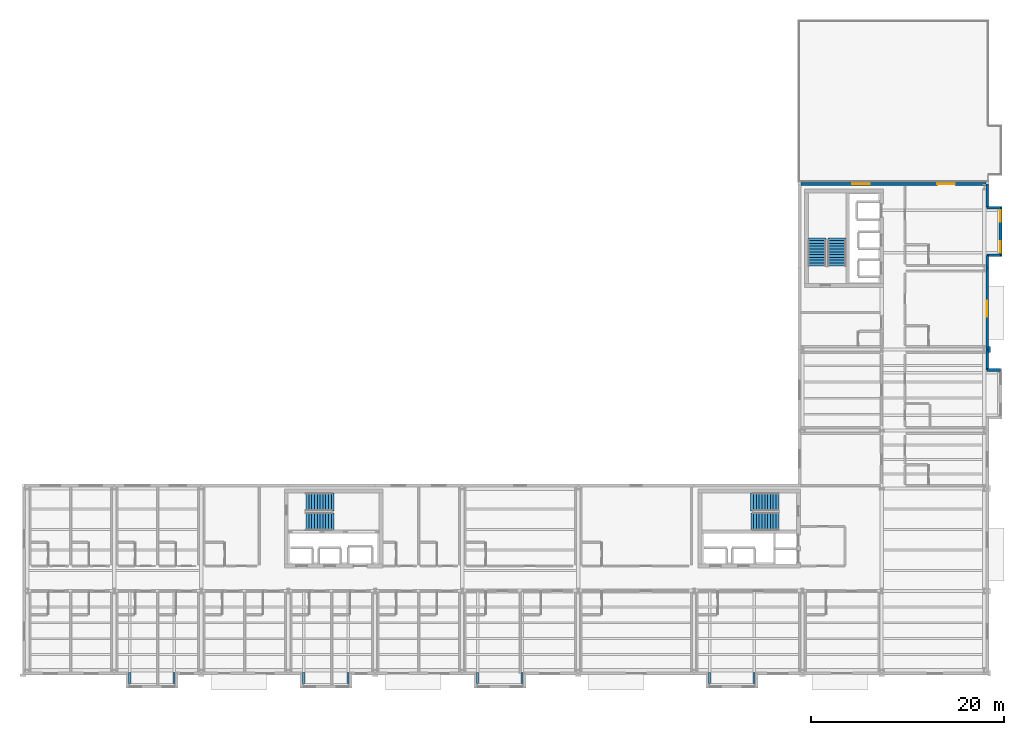
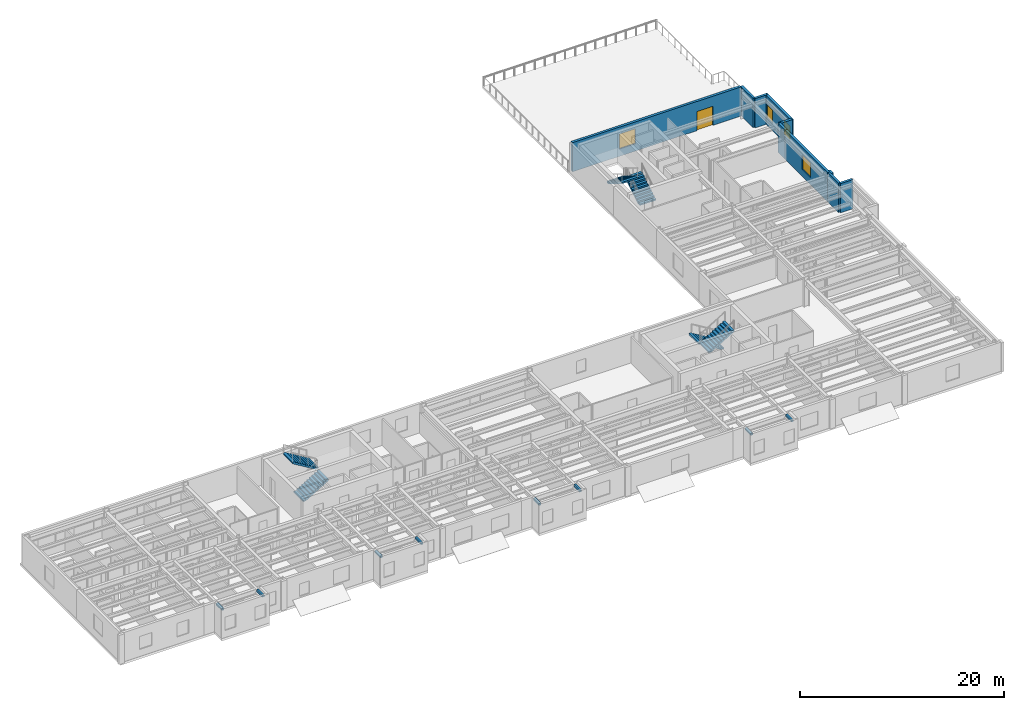
# One storey, part 15 of 19: 10 walls, 8 discrete accessories, 6 stair flights, 4 windows, 1 door, 5 openings, 3 elements without a shape of their own.
"""IFC4 building model written with IfcOpenShell, lengths in metres."""

from ifc_helpers import new_model, si_unit, direction, frame, frame_2d, origin, origin_2d, place, context, subcontext, project, spatial, polyline, rectangle, outline, extrude, material, layer, layer_set, type_object, element, fill, aggregate, save


model = new_model("IFC4")

# Units and contexts
model_context = context("Model", 3, precision=1e-05, world=origin(), true_north=direction((0.0, 1.0)))
body_context = subcontext(model_context, "Body", "Model", "MODEL_VIEW")
ifc_project = project(units=[si_unit("LENGTHUNIT", "METRE"), si_unit("AREAUNIT", "SQUARE_METRE"), si_unit("VOLUMEUNIT", "CUBIC_METRE"), si_unit("PLANEANGLEUNIT", "RADIAN"), si_unit("MASSUNIT", "GRAM", prefix="KILO")], contexts=[model_context])

# Site, building, storey
site_placement = place(None, origin())
site = spatial("IfcSite", under=ifc_project, at=site_placement, CompositionType="ELEMENT")
building_placement = place(site_placement, origin())
building = spatial("IfcBuilding", under=site, at=building_placement, Name="Sollismere Congress Hotel", CompositionType="ELEMENT")
storey_placement = place(building_placement, frame((0.0, 0.0, 34.10009765625)))
storey = spatial("IfcBuildingStorey", under=building, at=storey_placement, Name="L08", CompositionType="ELEMENT", Elevation=34.10009765625)

# Walls
ifc_material_1 = material(Name="Colorado Buff Sandstone Rainscreen on Insulated Backup", Category="masonry")
ifc_layer_1 = layer(ifc_material_1, 0.284912109375, Name="Colorado Buff Sandstone Rainscreen on Insulated Backup")
ifc_layer_set_1 = layer_set([ifc_layer_1], Name="Colorado Buff Sandstone Rainscreen on Insulated Backup")
wall_type_1 = type_object("IfcWallType", Name="WL-EXT285", PredefinedType="STANDARD", material=ifc_layer_set_1)
wall_1_placement = place(storey_placement, frame((166.31005859375, 31.06005859375, 0.0), z_axis=(0.0, 0.0, 1.0), x_axis=(0.0, 1.0, 0.0)))
element("IfcWall", 1, at=wall_1_placement, inside=storey, type_object=wall_type_1, Name="Exterior wall EW-L08-850", PredefinedType="STANDARD", context=body_context, shape_type="SweptSolid", body=[
    extrude(rectangle(XDim=2.139892578125, YDim=0.284912109375, at=frame_2d((1.06982421875, 0.0))), origin(), (0.0, 0.0, 1.0), 3.5),
])
wall_2_placement = place(storey_placement, frame((167.699951171875, 31.06005859375, 0.0), z_axis=(0.0, 0.0, 1.0), x_axis=(-1.0, 0.0, 0.0)))
element("IfcWall", 2, at=wall_2_placement, inside=storey, type_object=wall_type_1, Name="Exterior wall EW-L08-853", PredefinedType="STANDARD", context=body_context, shape_type="SweptSolid", body=[
    extrude(rectangle(XDim=1.389892578125, YDim=0.284912109375, at=frame_2d((0.69482421875, 0.0))), origin(), (0.0, 0.0, 1.0), 3.5),
])

# Wall, opening, window
wall_3_placement = place(storey_placement, frame((166.31005859375, 33.199951171875, 0.0), z_axis=(0.0, 0.0, 1.0), x_axis=(0.0, 1.0, 0.0)))
wall_3 = element("IfcWall", 3, at=wall_3_placement, inside=storey, type_object=wall_type_1, Name="Exterior wall EW-L08-854", PredefinedType="STANDARD", context=body_context, shape_type="SweptSolid", body=[
    extrude(rectangle(XDim=8.400146484375, YDim=0.284912109375, at=frame_2d((4.2001953125, 0.0))), origin(), (0.0, 0.0, 1.0), 3.5),
])
opening_1_placement = place(wall_3_placement, frame((3.375, 0.0, 0.85009765625)))
opening_1 = element("IfcOpeningElement", 4, at=opening_1_placement, cuts=wall_3, Name="Opening W-L08-615", PredefinedType="OPENING", context=body_context, shape_type="SweptSolid", body=[
    extrude(rectangle(XDim=1.64990234375, YDim=1.75, at=frame_2d((0.824951171875, 0.875))), frame((0.0, 0.15234375, 0.0), z_axis=(0.0, -1.0, 0.0), x_axis=(1.0, 0.0, 0.0)), (0.0, 0.0, 1.0), 0.304931640625),
])
ifc_material_2 = material(Name="Thermally Broken Bronze Aluminum & Low-E Glass", Category="aluminium")
window_type_1 = type_object("IfcWindowType", Name="WN-P165x175", PartitioningType="SINGLE_PANEL", PredefinedType="WINDOW", material=ifc_material_2)
window_1_placement = place(opening_1_placement, origin())
window_1 = element("IfcWindow", 5, at=window_1_placement, inside=storey, type_object=window_type_1, Name="WIN-W-L08-615", OverallHeight=1.75, OverallWidth=1.64990234375, PartitioningType="SINGLE_PANEL", PredefinedType="WINDOW", context=body_context, shape_type="SweptSolid", body=[
    extrude(rectangle(XDim=1.64990234375, YDim=1.75, at=frame_2d((0.824951171875, 0.875))), frame((0.0, 0.030029296875, 0.0), z_axis=(0.0, -1.0, 0.0), x_axis=(1.0, 0.0, 0.0)), (0.0, 0.0, 1.0), 0.06005859375),
])
fill(opening_1, window_1)

# Walls
wall_4_placement = place(storey_placement, frame((166.31005859375, 41.60009765625, 0.0), z_axis=(0.0, 0.0, 1.0), x_axis=(0.0, 1.0, 0.0)))
element("IfcWall", 6, at=wall_4_placement, inside=storey, type_object=wall_type_1, Name="Exterior wall EW-L08-856", PredefinedType="STANDARD", context=body_context, shape_type="SweptSolid", body=[
    extrude(rectangle(XDim=1.33984375, YDim=0.284912109375, at=frame_2d((0.669921875, 0.0))), origin(), (0.0, 0.0, 1.0), 3.5),
])
wall_5_placement = place(storey_placement, frame((166.31005859375, 47.860107421875, 0.0), z_axis=(0.0, 0.0, 1.0), x_axis=(0.0, 1.0, 0.0)))
element("IfcWall", 7, at=wall_5_placement, inside=storey, type_object=wall_type_1, Name="Exterior wall EW-L08-857", PredefinedType="STANDARD", context=body_context, shape_type="SweptSolid", body=[
    extrude(rectangle(XDim=2.449951171875, YDim=0.284912109375, at=frame_2d((1.22509765625, 0.0))), origin(), (0.0, 0.0, 1.0), 3.5),
])

# Wall, openings, windows
wall_6_placement = place(storey_placement, frame((167.699951171875, 42.800048828125, 0.0), z_axis=(0.0, 0.0, 1.0), x_axis=(0.0, 1.0, 0.0)))
wall_6 = element("IfcWall", 8, at=wall_6_placement, inside=storey, type_object=wall_type_1, Name="Exterior wall EW-L08-858", PredefinedType="STANDARD", context=body_context, shape_type="SweptSolid", body=[
    extrude(rectangle(XDim=5.199951171875, YDim=0.284912109375, at=frame_2d((2.60009765625, 0.0))), origin(), (0.0, 0.0, 1.0), 3.5),
])
opening_2_placement = place(wall_6_placement, frame((0.39990234375, 0.0, 0.85009765625)))
opening_2 = element("IfcOpeningElement", 9, at=opening_2_placement, cuts=wall_6, Name="Opening W-L08-616", PredefinedType="OPENING", context=body_context, shape_type="SweptSolid", body=[
    extrude(rectangle(XDim=1.199951171875, YDim=1.60009765625, at=frame_2d((0.60009765625, 0.800048828125))), frame((0.0, 0.15234375, 0.0), z_axis=(0.0, -1.0, 0.0), x_axis=(1.0, 0.0, 0.0)), (0.0, 0.0, 1.0), 0.304931640625),
])
opening_3_placement = place(wall_6_placement, frame((3.60009765625, 0.0, 0.85009765625)))
opening_3 = element("IfcOpeningElement", 10, at=opening_3_placement, cuts=wall_6, Name="Opening W-L08-617", PredefinedType="OPENING", context=body_context, shape_type="SweptSolid", body=[
    extrude(rectangle(XDim=1.199951171875, YDim=1.60009765625, at=frame_2d((0.60009765625, 0.800048828125))), frame((0.0, 0.15234375, 0.0), z_axis=(0.0, -1.0, 0.0), x_axis=(1.0, 0.0, 0.0)), (0.0, 0.0, 1.0), 0.304931640625),
])
window_type_2 = type_object("IfcWindowType", Name="WN-P120x160", PartitioningType="SINGLE_PANEL", PredefinedType="WINDOW", material=ifc_material_2)
window_2_placement = place(opening_2_placement, origin())
window_2 = element("IfcWindow", 11, at=window_2_placement, inside=storey, type_object=window_type_2, Name="WIN-W-L08-616", OverallHeight=1.60009765625, OverallWidth=1.199951171875, PartitioningType="SINGLE_PANEL", PredefinedType="WINDOW", context=body_context, shape_type="SweptSolid", body=[
    extrude(rectangle(XDim=1.199951171875, YDim=1.60009765625, at=frame_2d((0.60009765625, 0.800048828125))), frame((0.0, 0.030029296875, 0.0), z_axis=(0.0, -1.0, 0.0), x_axis=(1.0, 0.0, 0.0)), (0.0, 0.0, 1.0), 0.06005859375),
])
fill(opening_2, window_2)
window_3_placement = place(opening_3_placement, origin())
window_3 = element("IfcWindow", 12, at=window_3_placement, inside=storey, type_object=window_type_2, Name="WIN-W-L08-617", OverallHeight=1.60009765625, OverallWidth=1.199951171875, PartitioningType="SINGLE_PANEL", PredefinedType="WINDOW", context=body_context, shape_type="SweptSolid", body=[
    extrude(rectangle(XDim=1.199951171875, YDim=1.60009765625, at=frame_2d((0.60009765625, 0.800048828125))), frame((0.0, 0.030029296875, 0.0), z_axis=(0.0, -1.0, 0.0), x_axis=(1.0, 0.0, 0.0)), (0.0, 0.0, 1.0), 0.06005859375),
])
fill(opening_3, window_3)

# Walls
for number, where, z_axis, x_axis, name in (
    (13, (166.31005859375, 42.93994140625, 0.0), (0.0, 0.0, 1.0), (1.0, 0.0, 0.0), "Exterior wall EW-L08-859"),
    (14, (167.699951171875, 47.860107421875, 0.0), (0.0, 0.0, 1.0), (-1.0, 0.0, 0.0), "Exterior wall EW-L08-860"),
):
    element("IfcWall", number, at=place(storey_placement, frame(where, z_axis=z_axis, x_axis=x_axis)), inside=storey, type_object=wall_type_1, Name=name, PredefinedType="STANDARD", context=body_context, shape_type="SweptSolid", body=[
        extrude(rectangle(XDim=1.389892578125, YDim=0.284912109375, at=frame_2d((0.69482421875, 0.0))), origin(), (0.0, 0.0, 1.0), 3.5),
    ])

# Wall, openings, door, window
wall_7_placement = place(storey_placement, frame((166.16552734375, 50.31005859375, 0.0), z_axis=(0.0, 0.0, 1.0), x_axis=(-1.0, 0.0, 0.0)))
wall_7 = element("IfcWall", 15, at=wall_7_placement, inside=storey, type_object=wall_type_1, Name="Exterior wall EW-L08-875", PredefinedType="STANDARD", context=body_context, shape_type="SweptSolid", body=[
    extrude(rectangle(XDim=19.131103515625, YDim=0.284912109375, at=frame_2d((9.5654296875, 0.0))), origin(), (0.0, 0.0, 1.0), 3.5),
])
opening_4_placement = place(wall_7_placement, frame((3.199951171875, 0.0, 0.0)))
opening_4 = element("IfcOpeningElement", 16, at=opening_4_placement, cuts=wall_7, Name="Opening D-L08-TRE", PredefinedType="OPENING", context=body_context, shape_type="SweptSolid", body=[
    extrude(rectangle(XDim=1.800048828125, YDim=2.300048828125, at=frame_2d((0.89990234375, 1.14990234375))), frame((0.0, 0.15234375, 0.0), z_axis=(0.0, -1.0, 0.0), x_axis=(1.0, 0.0, 0.0)), (0.0, 0.0, 1.0), 0.304931640625),
])
opening_5_placement = place(wall_7_placement, frame((12.0, 0.0, 0.8798828125)))
opening_5 = element("IfcOpeningElement", 17, at=opening_5_placement, cuts=wall_7, Name="Opening W-L08-630", PredefinedType="OPENING", context=body_context, shape_type="SweptSolid", body=[
    extrude(rectangle(XDim=1.800048828125, YDim=1.800048828125, at=frame_2d((0.89990234375, 0.89990234375))), frame((0.0, 0.15234375, 0.0), z_axis=(0.0, -1.0, 0.0), x_axis=(1.0, 0.0, 0.0)), (0.0, 0.0, 1.0), 0.304931640625),
])
ifc_material_3 = material(Name="Thermally Broken Bronze-Anodized Aluminum & Laminated Glass", Category="aluminium")
door_type = type_object("IfcDoorType", Name="DR-EX180", OperationType="DOUBLE_DOOR_SINGLE_SWING", PredefinedType="DOOR", material=ifc_material_3)
door_placement = place(opening_4_placement, frame((1.800048828125, 0.0, 0.0), z_axis=(0.0, 0.0, 1.0), x_axis=(-1.0, 0.0, 0.0)))
door = element("IfcDoor", 18, at=door_placement, inside=storey, type_object=door_type, Name="DOR-D-L08-TRE", OperationType="DOUBLE_DOOR_SINGLE_SWING", OverallHeight=2.300048828125, OverallWidth=1.800048828125, PredefinedType="DOOR", context=body_context, shape_type="SweptSolid", body=[
    extrude(rectangle(XDim=1.800048828125, YDim=2.300048828125, at=frame_2d((0.89990234375, 1.14990234375))), frame((0.0, 0.02490234375, 0.0), z_axis=(0.0, -1.0, 0.0), x_axis=(1.0, 0.0, 0.0)), (0.0, 0.0, 1.0), 0.050048828125),
])
fill(opening_4, door)
window_type_3 = type_object("IfcWindowType", Name="WN-P180x180", PartitioningType="SINGLE_PANEL", PredefinedType="WINDOW", material=ifc_material_2)
window_4_placement = place(opening_5_placement, origin())
window_4 = element("IfcWindow", 19, at=window_4_placement, inside=storey, type_object=window_type_3, Name="WIN-W-L08-630", OverallHeight=1.800048828125, OverallWidth=1.800048828125, PartitioningType="SINGLE_PANEL", PredefinedType="WINDOW", context=body_context, shape_type="SweptSolid", body=[
    extrude(rectangle(XDim=1.800048828125, YDim=1.800048828125, at=frame_2d((0.89990234375, 0.89990234375))), frame((0.0, 0.030029296875, 0.0), z_axis=(0.0, -1.0, 0.0), x_axis=(1.0, 0.0, 0.0)), (0.0, 0.0, 1.0), 0.06005859375),
])
fill(opening_5, window_4)

# Wall
ifc_material_4 = material(Name="Carved Travertine Pilaster & Frieze Assembly", Category="masonry")
ifc_layer_2 = layer(ifc_material_4, 0.260009765625, Name="Carved Travertine Pilaster & Frieze Assembly")
ifc_layer_set_2 = layer_set([ifc_layer_2], Name="Carved Travertine Pilaster & Frieze Assembly")
wall_type_2 = type_object("IfcWallType", Name="WL-PIL280", PredefinedType="ELEMENTEDWALL", material=ifc_layer_set_2)
wall_8_placement = place(storey_placement, frame((166.52001953125, 32.89990234375, 0.0), z_axis=(0.0, 0.0, 1.0), x_axis=(0.0, 1.0, 0.0)))
element("IfcWall", 20, at=wall_8_placement, inside=storey, type_object=wall_type_2, Name="Exterior wall EW-L08-855", PredefinedType="ELEMENTEDWALL", context=body_context, shape_type="SweptSolid", body=[
    extrude(rectangle(XDim=0.60009765625, YDim=0.260009765625, at=frame_2d((0.300048828125, 0.0))), origin(), (0.0, 0.0, 1.0), 3.5),
])

# Stair, stair flights
ifc_material_5 = material(Name="Concrete C40/50", Category="concrete")
stair_type = type_object("IfcStairType", Name="STR-DL-350", PredefinedType="HALF_TURN_STAIR", material=ifc_material_5)
stair_1_placement = place(storey_placement, origin())
stair_1 = element("IfcStair", 21, at=stair_1_placement, inside=storey, type_object=stair_type, Name="Protected exit stair ST-01-L08", PredefinedType="HALF_TURN_STAIR")
stair_flight_type = type_object("IfcStairFlightType", Name="STF-DL-350", PredefinedType="STRAIGHT", material=ifc_material_5)
stair_flight_1_placement = place(storey_placement, frame((144.75, 17.425048828125, 0.0), z_axis=(0.0, 0.0, 1.0), x_axis=(-1.0, 0.0, 0.0)))
stair_flight_1 = element("IfcStairFlight", 22, at=stair_flight_1_placement, type_object=stair_flight_type, Name="Exit stair flight ST-01-L08-F1", NumberOfRisers=10, NumberOfTreads=10, PredefinedType="STRAIGHT", RiserHeight=0.175048828125, TreadLength=0.2900390625, context=body_context, shape_type="SweptSolid", body=[
    extrude(outline(polyline([(0.0, 0.0), (0.0, 0.175048828125), (0.2900390625, 0.175048828125), (0.2900390625, 0.35009765625), (0.580078125, 0.35009765625), (0.580078125, 0.525146484375), (0.8701171875, 0.525146484375), (0.8701171875, 0.7001953125), (1.16015625, 0.7001953125), (1.16015625, 0.875244140625), (1.4501953125, 0.875244140625), (1.4501953125, 1.05029296875), (1.740234375, 1.05029296875), (1.740234375, 1.225341796875), (2.0302734375, 1.225341796875), (2.0302734375, 1.400390625), (2.3203125, 1.400390625), (2.3203125, 1.575439453125), (2.6103515625, 1.575439453125), (2.6103515625, 1.75048828125), (2.900390625, 1.75048828125), (2.900390625, 1.563720703125), (0.3095703125, 0.0), (0.0, 0.0)])), frame((0.0, 0.925048828125, 0.0), z_axis=(0.0, -1.0, 0.0), x_axis=(1.0, 0.0, 0.0)), (0.0, 0.0, 1.0), 1.85009765625),
])
stair_flight_2_placement = place(storey_placement, frame((141.85009765625, 15.375, 1.75), z_axis=(0.0, 0.0, 1.0), x_axis=(1.0, 0.0, 0.0)))
stair_flight_2 = element("IfcStairFlight", 23, at=stair_flight_2_placement, type_object=stair_flight_type, Name="Exit stair flight ST-01-L08-F2", NumberOfRisers=10, NumberOfTreads=10, PredefinedType="STRAIGHT", RiserHeight=0.175048828125, TreadLength=0.2900390625, context=body_context, shape_type="SweptSolid", body=[
    extrude(outline(polyline([(0.0, 0.0), (0.0, 0.175048828125), (0.2900390625, 0.175048828125), (0.2900390625, 0.35009765625), (0.580078125, 0.35009765625), (0.580078125, 0.525146484375), (0.8701171875, 0.525146484375), (0.8701171875, 0.7001953125), (1.16015625, 0.7001953125), (1.16015625, 0.875244140625), (1.4501953125, 0.875244140625), (1.4501953125, 1.05029296875), (1.740234375, 1.05029296875), (1.740234375, 1.225341796875), (2.0302734375, 1.225341796875), (2.0302734375, 1.400390625), (2.3203125, 1.400390625), (2.3203125, 1.575439453125), (2.6103515625, 1.575439453125), (2.6103515625, 1.75048828125), (2.900390625, 1.75048828125), (2.900390625, 1.563720703125), (0.3095703125, 0.0), (0.0, 0.0)])), frame((0.0, 0.925048828125, 0.0), z_axis=(0.0, -1.0, 0.0), x_axis=(1.0, 0.0, 0.0)), (0.0, 0.0, 1.0), 1.85009765625),
])
aggregate(stair_1, [stair_flight_1, stair_flight_2])

stair_2_placement = place(storey_placement, origin())
stair_2 = element("IfcStair", 24, at=stair_2_placement, inside=storey, type_object=stair_type, Name="Protected exit stair ST-02-L08", PredefinedType="HALF_TURN_STAIR")
stair_flight_3_placement = place(storey_placement, frame((95.85009765625, 15.375, 0.0), z_axis=(0.0, 0.0, 1.0), x_axis=(1.0, 0.0, 0.0)))
stair_flight_3 = element("IfcStairFlight", 25, at=stair_flight_3_placement, type_object=stair_flight_type, Name="Exit stair flight ST-02-L08-F1", NumberOfRisers=10, NumberOfTreads=10, PredefinedType="STRAIGHT", RiserHeight=0.175048828125, TreadLength=0.2900390625, context=body_context, shape_type="SweptSolid", body=[
    extrude(outline(polyline([(0.0, 0.0), (0.0, 0.175048828125), (0.2900390625, 0.175048828125), (0.2900390625, 0.35009765625), (0.580078125, 0.35009765625), (0.580078125, 0.525146484375), (0.8701171875, 0.525146484375), (0.8701171875, 0.7001953125), (1.16015625, 0.7001953125), (1.16015625, 0.875244140625), (1.4501953125, 0.875244140625), (1.4501953125, 1.05029296875), (1.740234375, 1.05029296875), (1.740234375, 1.225341796875), (2.0302734375, 1.225341796875), (2.0302734375, 1.400390625), (2.3203125, 1.400390625), (2.3203125, 1.575439453125), (2.6103515625, 1.575439453125), (2.6103515625, 1.75048828125), (2.900390625, 1.75048828125), (2.900390625, 1.563720703125), (0.3095703125, 0.0), (0.0, 0.0)])), frame((0.0, 0.925048828125, 0.0), z_axis=(0.0, -1.0, 0.0), x_axis=(1.0, 0.0, 0.0)), (0.0, 0.0, 1.0), 1.85009765625),
])
stair_flight_4_placement = place(storey_placement, frame((98.75, 17.425048828125, 1.75), z_axis=(0.0, 0.0, 1.0), x_axis=(-1.0, 0.0, 0.0)))
stair_flight_4 = element("IfcStairFlight", 26, at=stair_flight_4_placement, type_object=stair_flight_type, Name="Exit stair flight ST-02-L08-F2", NumberOfRisers=10, NumberOfTreads=10, PredefinedType="STRAIGHT", RiserHeight=0.175048828125, TreadLength=0.2900390625, context=body_context, shape_type="SweptSolid", body=[
    extrude(outline(polyline([(0.0, 0.0), (0.0, 0.175048828125), (0.2900390625, 0.175048828125), (0.2900390625, 0.35009765625), (0.580078125, 0.35009765625), (0.580078125, 0.525146484375), (0.8701171875, 0.525146484375), (0.8701171875, 0.7001953125), (1.16015625, 0.7001953125), (1.16015625, 0.875244140625), (1.4501953125, 0.875244140625), (1.4501953125, 1.05029296875), (1.740234375, 1.05029296875), (1.740234375, 1.225341796875), (2.0302734375, 1.225341796875), (2.0302734375, 1.400390625), (2.3203125, 1.400390625), (2.3203125, 1.575439453125), (2.6103515625, 1.575439453125), (2.6103515625, 1.75048828125), (2.900390625, 1.75048828125), (2.900390625, 1.563720703125), (0.3095703125, 0.0), (0.0, 0.0)])), frame((0.0, 0.925048828125, 0.0), z_axis=(0.0, -1.0, 0.0), x_axis=(1.0, 0.0, 0.0)), (0.0, 0.0, 1.0), 1.85009765625),
])
aggregate(stair_2, [stair_flight_3, stair_flight_4])

stair_3_placement = place(storey_placement, origin())
stair_3 = element("IfcStair", 27, at=stair_3_placement, inside=storey, type_object=stair_type, Name="Protected exit stair ST-03-L08", PredefinedType="HALF_TURN_STAIR")
stair_flight_5_placement = place(storey_placement, frame((150.77490234375, 41.85009765625, 0.0), z_axis=(0.0, 0.0, 1.0), x_axis=(0.0, 1.0, 0.0)))
stair_flight_5 = element("IfcStairFlight", 28, at=stair_flight_5_placement, type_object=stair_flight_type, Name="Exit stair flight ST-03-L08-F1", NumberOfRisers=10, NumberOfTreads=10, PredefinedType="STRAIGHT", RiserHeight=0.175048828125, TreadLength=0.2900390625, context=body_context, shape_type="SweptSolid", body=[
    extrude(outline(polyline([(0.0, 0.0), (0.0, 0.175048828125), (0.2900390625, 0.175048828125), (0.2900390625, 0.35009765625), (0.580078125, 0.35009765625), (0.580078125, 0.525146484375), (0.8701171875, 0.525146484375), (0.8701171875, 0.7001953125), (1.16015625, 0.7001953125), (1.16015625, 0.875244140625), (1.4501953125, 0.875244140625), (1.4501953125, 1.05029296875), (1.740234375, 1.05029296875), (1.740234375, 1.225341796875), (2.0302734375, 1.225341796875), (2.0302734375, 1.400390625), (2.3203125, 1.400390625), (2.3203125, 1.575439453125), (2.6103515625, 1.575439453125), (2.6103515625, 1.75048828125), (2.900390625, 1.75048828125), (2.900390625, 1.563720703125), (0.3095703125, 0.0), (0.0, 0.0)])), frame((0.0, 0.925048828125, 0.0), z_axis=(0.0, -1.0, 0.0), x_axis=(1.0, 0.0, 0.0)), (0.0, 0.0, 1.0), 1.85009765625),
])
stair_flight_6_placement = place(storey_placement, frame((148.72509765625, 44.75, 1.75), z_axis=(0.0, 0.0, 1.0), x_axis=(0.0, -1.0, 0.0)))
stair_flight_6 = element("IfcStairFlight", 29, at=stair_flight_6_placement, type_object=stair_flight_type, Name="Exit stair flight ST-03-L08-F2", NumberOfRisers=10, NumberOfTreads=10, PredefinedType="STRAIGHT", RiserHeight=0.175048828125, TreadLength=0.2900390625, context=body_context, shape_type="SweptSolid", body=[
    extrude(outline(polyline([(0.0, 0.0), (0.0, 0.175048828125), (0.2900390625, 0.175048828125), (0.2900390625, 0.35009765625), (0.580078125, 0.35009765625), (0.580078125, 0.525146484375), (0.8701171875, 0.525146484375), (0.8701171875, 0.7001953125), (1.16015625, 0.7001953125), (1.16015625, 0.875244140625), (1.4501953125, 0.875244140625), (1.4501953125, 1.05029296875), (1.740234375, 1.05029296875), (1.740234375, 1.225341796875), (2.0302734375, 1.225341796875), (2.0302734375, 1.400390625), (2.3203125, 1.400390625), (2.3203125, 1.575439453125), (2.6103515625, 1.575439453125), (2.6103515625, 1.75048828125), (2.900390625, 1.75048828125), (2.900390625, 1.563720703125), (0.3095703125, 0.0), (0.0, 0.0)])), frame((0.0, 0.925048828125, 0.0), z_axis=(0.0, -1.0, 0.0), x_axis=(1.0, 0.0, 0.0)), (0.0, 0.0, 1.0), 1.85009765625),
])
aggregate(stair_3, [stair_flight_5, stair_flight_6])

# Discrete accessories
ifc_material_6 = material(Name="Steel ASTM A572 Grade 50", Category="steel")
discrete_accessory_type = type_object("IfcDiscreteAccessoryType", Name="BRK-STL", PredefinedType="BRACKET", material=ifc_material_6)
for number, where, z_axis, x_axis, name in (
    (30, (77.60009765625, -0.800048828125, 2.96484375), (0.0, 0.0, 1.0), (1.0, 0.0, 0.0), "BRK-CK-057"),
    (31, (82.199951171875, -0.800048828125, 2.96484375), (0.0, 0.0, 1.0), (1.0, 0.0, 0.0), "BRK-CK-058"),
    (32, (95.60009765625, -0.800048828125, 2.96484375), (0.0, 0.0, 1.0), (1.0, 0.0, 0.0), "BRK-CK-059"),
    (33, (100.199951171875, -0.800048828125, 2.96484375), (0.0, 0.0, 1.0), (1.0, 0.0, 0.0), "BRK-CK-060"),
    (34, (113.60009765625, -0.800048828125, 2.96484375), (0.0, 0.0, 1.0), (1.0, 0.0, 0.0), "BRK-CK-061"),
    (35, (118.199951171875, -0.800048828125, 2.96484375), (0.0, 0.0, 1.0), (1.0, 0.0, 0.0), "BRK-CK-062"),
    (36, (137.60009765625, -0.800048828125, 2.96484375), (0.0, 0.0, 1.0), (1.0, 0.0, 0.0), "BRK-CK-063"),
    (37, (142.199951171875, -0.800048828125, 2.96484375), (0.0, 0.0, 1.0), (1.0, 0.0, 0.0), "BRK-CK-064"),
):
    element("IfcDiscreteAccessory", number, at=place(storey_placement, frame(where, z_axis=z_axis, x_axis=x_axis)), inside=storey, type_object=discrete_accessory_type, Name=name, PredefinedType="BRACKET", context=body_context, shape_type="SweptSolid", body=[
        extrude(rectangle(XDim=0.219970703125, YDim=1.14990234375, at=origin_2d()), origin(), (0.0, 0.0, 1.0), 0.260009765625),
    ])

save(model, "model.ifc")
